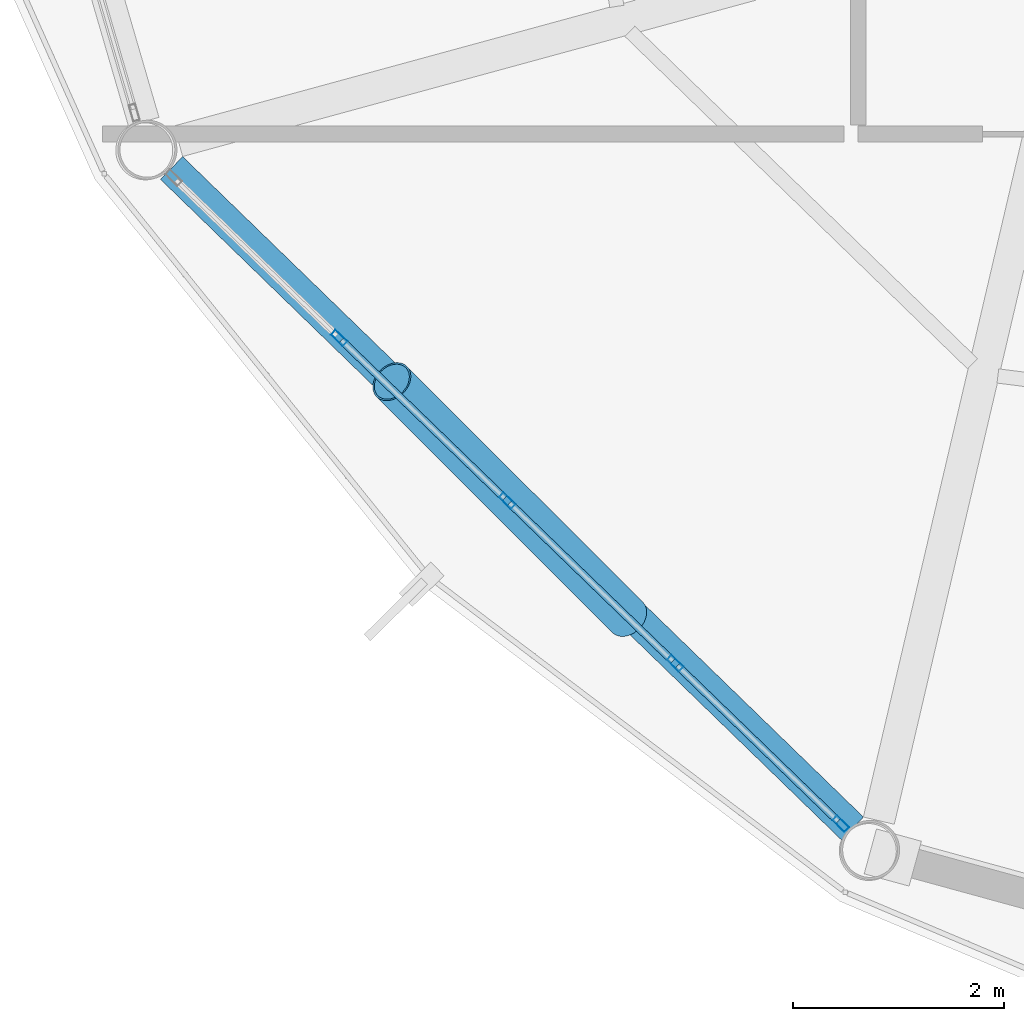
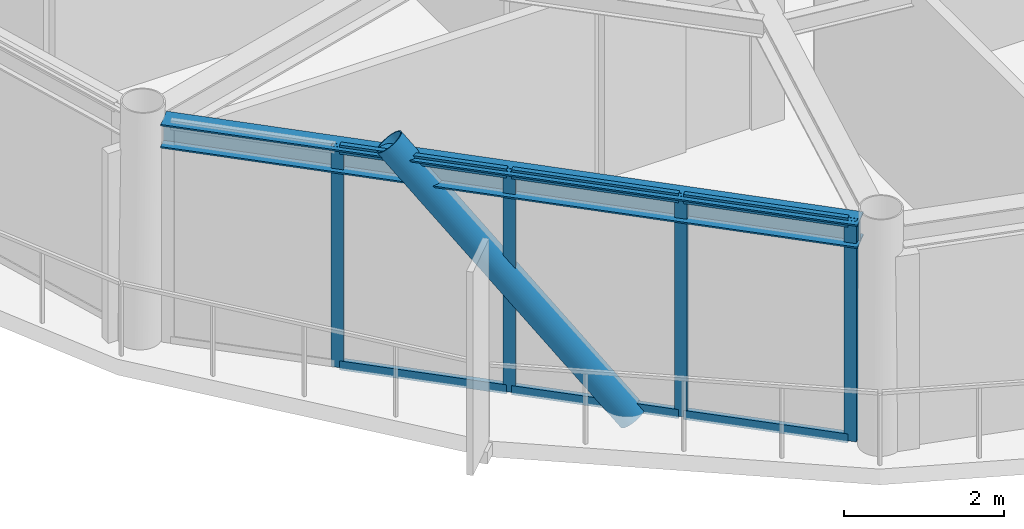
# One storey, part 2 of 27: 11 members, 1 beam, 1 element without a shape of its own.
"""IFC4 building model written with IfcOpenShell, lengths in metres."""

from ifc_helpers import new_model, si_unit, direction, frame, origin, origin_2d, place, context, subcontext, project, spatial, hollow_rectangle, hollow_circle, i_section, extrude, material, layer, layer_set, material_profile, profile_set, type_object, element, aggregate, save


model = new_model("IFC4")

# Units and contexts
model_context = context("Model", 3, precision=1e-05, world=origin(), true_north=direction((0.0, 1.0)))
body_context = subcontext(model_context, "Body", "Model", "MODEL_VIEW")
ifc_project = project(units=[si_unit("LENGTHUNIT", "METRE"), si_unit("AREAUNIT", "SQUARE_METRE"), si_unit("VOLUMEUNIT", "CUBIC_METRE"), si_unit("PLANEANGLEUNIT", "RADIAN"), si_unit("MASSUNIT", "GRAM", prefix="KILO")], contexts=[model_context])

# Site, building, storey
site_placement = place(None, origin())
site = spatial("IfcSite", under=ifc_project, at=site_placement, CompositionType="ELEMENT")
building_placement = place(site_placement, origin())
building = spatial("IfcBuilding", under=site, at=building_placement, Name="Varnakorn Sky Granary", CompositionType="ELEMENT")
storey_placement = place(building_placement, frame((0.0, 0.0, 229.199951171875)))
storey = spatial("IfcBuildingStorey", under=building, at=storey_placement, Name="L58", CompositionType="ELEMENT", Elevation=229.199951171875)

# Beam
ifc_material_1 = material(Name="Steel S355JR", Category="steel")
ifc_material_profile_1 = material_profile(ifc_material_1, i_section(OverallWidth=0.300048828125, OverallDepth=0.360107421875, WebThickness=0.012451171875, FlangeThickness=0.0224609375, at=origin_2d()), Name="HE 360 B")
ifc_profile_set_1 = profile_set([ifc_material_profile_1], Name="Steel S355JR")
beam_type = type_object("IfcBeamType", Name="BM-SPD-Z5", PredefinedType="SPANDREL", material=ifc_profile_set_1)
beam_placement = place(storey_placement, frame((-11.094970703125, -9.220703125, 3.179931640625), z_axis=(0.717760671114, -0.696289895806, 0.0), x_axis=(0.696289895806, 0.717760671114, 0.0)))
element("IfcBeam", 1, at=beam_placement, inside=storey, type_object=beam_type, Name="Perimeter Spandrel Ring Beam RB08 L58", PredefinedType="SPANDREL", context=body_context, shape_type="SweptSolid", body=[
    extrude(i_section(OverallWidth=0.300048828125, OverallDepth=0.360107421875, WebThickness=0.012451171875, FlangeThickness=0.0224609375, at=origin_2d()), origin(), (0.0, 0.0, 1.0), 8.9716796875),
])

# Curtain wall, members
ifc_material_2 = material(Name="Anodised Bronze Aluminium Alloy 6063-T6", Category="aluminium")
ifc_layer = layer(ifc_material_2, 0.169921875, Name="Anodised Bronze Aluminium Alloy 6063-T6")
ifc_layer_set = layer_set([ifc_layer], Name="Anodised Bronze Aluminium Alloy 6063-T6")
curtain_wall_type = type_object("IfcCurtainWallType", Name="CW-LAB-1", PredefinedType="USERDEFINED", material=ifc_layer_set)
curtain_wall_placement = place(storey_placement, origin())
curtain_wall = element("IfcCurtainWall", 2, at=curtain_wall_placement, inside=storey, type_object=curtain_wall_type, Name="Unitised Curtain Wall CW5 CW-L58-B08", ObjectType="CURTAIN WALL", PredefinedType="USERDEFINED")
ifc_material_profile_2 = material_profile(ifc_material_2, hollow_rectangle(XDim=0.06494140625, YDim=0.159912109375, WallThickness=0.00341796875, at=origin_2d()), Name="ALU MULL 65x160")
ifc_profile_set_2 = profile_set([ifc_material_profile_2], Name="Anodised Bronze Aluminium Alloy 6063-T6")
member_type_1 = type_object("IfcMemberType", Name="CW-LAB-1-MULL", PredefinedType="MULLION", material=ifc_profile_set_2)
member_1_placement = place(storey_placement, frame((-4.766845703125, -15.42236328125, 0.0), z_axis=(0.0, 0.0, 1.0), x_axis=(-0.695640153276, -0.718390407195, 0.0)))
member_1 = element("IfcMember", 3, at=member_1_placement, type_object=member_type_1, Name="CW5 mullion 1", PredefinedType="MULLION", context=body_context, shape_type="SweptSolid", body=[
    extrude(hollow_rectangle(XDim=0.06494140625, YDim=0.159912109375, WallThickness=0.00341796875, at=origin_2d()), origin(), (0.0, 0.0, 1.0), 3.360107421875),
])
member_2_placement = place(storey_placement, frame((-6.33251953125, -13.906005859375, 0.0), z_axis=(0.0, 0.0, 1.0), x_axis=(-0.695640153276, -0.718390407195, 0.0)))
member_2 = element("IfcMember", 4, at=member_2_placement, type_object=member_type_1, Name="CW5 mullion 2", PredefinedType="MULLION", context=body_context, shape_type="SweptSolid", body=[
    extrude(hollow_rectangle(XDim=0.06494140625, YDim=0.159912109375, WallThickness=0.00341796875, at=origin_2d()), origin(), (0.0, 0.0, 1.0), 3.360107421875),
])
member_3_placement = place(storey_placement, frame((-7.921630859375, -12.3671875, 0.0), z_axis=(0.0, 0.0, 1.0), x_axis=(-0.695640153276, -0.718390407195, 0.0)))
member_3 = element("IfcMember", 5, at=member_3_placement, type_object=member_type_1, Name="CW5 mullion 3", PredefinedType="MULLION", context=body_context, shape_type="SweptSolid", body=[
    extrude(hollow_rectangle(XDim=0.06494140625, YDim=0.159912109375, WallThickness=0.00341796875, at=origin_2d()), origin(), (0.0, 0.0, 1.0), 3.360107421875),
])
member_4_placement = place(storey_placement, frame((-9.5107421875, -10.82861328125, 0.0), z_axis=(0.0, 0.0, 1.0), x_axis=(-0.695640153276, -0.718390407195, 0.0)))
member_4 = element("IfcMember", 6, at=member_4_placement, type_object=member_type_1, Name="CW5 mullion 4", PredefinedType="MULLION", context=body_context, shape_type="SweptSolid", body=[
    extrude(hollow_rectangle(XDim=0.06494140625, YDim=0.159912109375, WallThickness=0.00341796875, at=origin_2d()), origin(), (0.0, 0.0, 1.0), 3.360107421875),
])
ifc_material_profile_3 = material_profile(ifc_material_2, hollow_rectangle(XDim=0.070068359375, YDim=0.139892578125, WallThickness=0.00341796875, at=origin_2d()), Name="ALU TRAN 70x140")
ifc_profile_set_3 = profile_set([ifc_material_profile_3], Name="Anodised Bronze Aluminium Alloy 6063-T6")
member_type_2 = type_object("IfcMemberType", Name="CW-LAB-1-TRAN", PredefinedType="USERDEFINED", material=ifc_profile_set_3)
member_5_placement = place(storey_placement, frame((-4.7900390625, -15.399658203125, 0.03515625), z_axis=(-0.718388064337, 0.695642572747, 0.0), x_axis=(-0.695642572747, -0.718388064337, 0.0)))
member_5 = element("IfcMember", 7, at=member_5_placement, type_object=member_type_2, Name="CW5 transom 1.1", ObjectType="TRANSOM", PredefinedType="USERDEFINED", context=body_context, shape_type="SweptSolid", body=[
    extrude(hollow_rectangle(XDim=0.070068359375, YDim=0.139892578125, WallThickness=0.00341796875, at=origin_2d()), origin(), (0.0, 0.0, 1.0), 2.114501953125),
])
member_6_placement = place(storey_placement, frame((-4.7900390625, -15.399658203125, 3.324951171875), z_axis=(-0.718388064337, 0.695642572747, 0.0), x_axis=(-0.695642572747, -0.718388064337, 0.0)))
member_6 = element("IfcMember", 8, at=member_6_placement, type_object=member_type_2, Name="CW5 transom 1.2", ObjectType="TRANSOM", PredefinedType="USERDEFINED", context=body_context, shape_type="SweptSolid", body=[
    extrude(hollow_rectangle(XDim=0.070068359375, YDim=0.139892578125, WallThickness=0.00341796875, at=origin_2d()), origin(), (0.0, 0.0, 1.0), 2.114501953125),
])
member_7_placement = place(storey_placement, frame((-6.35595703125, -13.883544921875, 0.03515625), z_axis=(-0.718330786828, 0.695701718191, 0.0), x_axis=(-0.695701718191, -0.718330786828, 0.0)))
member_7 = element("IfcMember", 9, at=member_7_placement, type_object=member_type_2, Name="CW5 transom 2.1", ObjectType="TRANSOM", PredefinedType="USERDEFINED", context=body_context, shape_type="SweptSolid", body=[
    extrude(hollow_rectangle(XDim=0.070068359375, YDim=0.139892578125, WallThickness=0.00341796875, at=origin_2d()), origin(), (0.0, 0.0, 1.0), 2.14697265625),
])
member_8_placement = place(storey_placement, frame((-6.35595703125, -13.883544921875, 3.324951171875), z_axis=(-0.718330786828, 0.695701718191, 0.0), x_axis=(-0.695701718191, -0.718330786828, 0.0)))
member_8 = element("IfcMember", 10, at=member_8_placement, type_object=member_type_2, Name="CW5 transom 2.2", ObjectType="TRANSOM", PredefinedType="USERDEFINED", context=body_context, shape_type="SweptSolid", body=[
    extrude(hollow_rectangle(XDim=0.070068359375, YDim=0.139892578125, WallThickness=0.00341796875, at=origin_2d()), origin(), (0.0, 0.0, 1.0), 2.14697265625),
])
member_9_placement = place(storey_placement, frame((-7.945068359375, -12.3447265625, 0.03515625), z_axis=(-0.718385817719, 0.695644892815, 0.0), x_axis=(-0.695644892815, -0.718385817719, 0.0)))
member_9 = element("IfcMember", 11, at=member_9_placement, type_object=member_type_2, Name="CW5 transom 3.1", ObjectType="TRANSOM", PredefinedType="USERDEFINED", context=body_context, shape_type="SweptSolid", body=[
    extrude(hollow_rectangle(XDim=0.070068359375, YDim=0.139892578125, WallThickness=0.00341796875, at=origin_2d()), origin(), (0.0, 0.0, 1.0), 2.147216796875),
])
member_10_placement = place(storey_placement, frame((-7.945068359375, -12.3447265625, 3.324951171875), z_axis=(-0.718385817719, 0.695644892815, 0.0), x_axis=(-0.695644892815, -0.718385817719, 0.0)))
member_10 = element("IfcMember", 12, at=member_10_placement, type_object=member_type_2, Name="CW5 transom 3.2", ObjectType="TRANSOM", PredefinedType="USERDEFINED", context=body_context, shape_type="SweptSolid", body=[
    extrude(hollow_rectangle(XDim=0.070068359375, YDim=0.139892578125, WallThickness=0.00341796875, at=origin_2d()), origin(), (0.0, 0.0, 1.0), 2.147216796875),
])
aggregate(curtain_wall, [member_1, member_2, member_3, member_4, member_5, member_6, member_7, member_8, member_9, member_10])

# Member
ifc_material_3 = material(Name="Steel S460M", Category="steel")
ifc_material_profile_4 = material_profile(ifc_material_3, hollow_circle(Radius=0.203125, WallThickness=0.01611328125, at=origin_2d()), Name="CHS 406.4x16")
ifc_profile_set_4 = profile_set([ifc_material_profile_4], Name="Steel S460M")
member_type_3 = type_object("IfcMemberType", Name="MB-DIAG-T4", PredefinedType="BRACE", material=ifc_profile_set_4)
member_11_placement = place(storey_placement, frame((-6.781005859375, -13.471923828125, -0.1298828125), z_axis=(-0.464596136119, 0.464494440566, 0.753919985799), x_axis=(-0.707029379099, -0.707184174803, 0.0)))
element("IfcMember", 13, at=member_11_placement, inside=storey, type_object=member_type_3, Name="Perimeter CHS Diagrid Brace DG08 L58", PredefinedType="BRACE", context=body_context, shape_type="SweptSolid", body=[
    extrude(hollow_circle(Radius=0.203125, WallThickness=0.01611328125, at=origin_2d()), origin(), (0.0, 0.0, 1.0), 4.801513671875),
])

save(model, "model.ifc")
